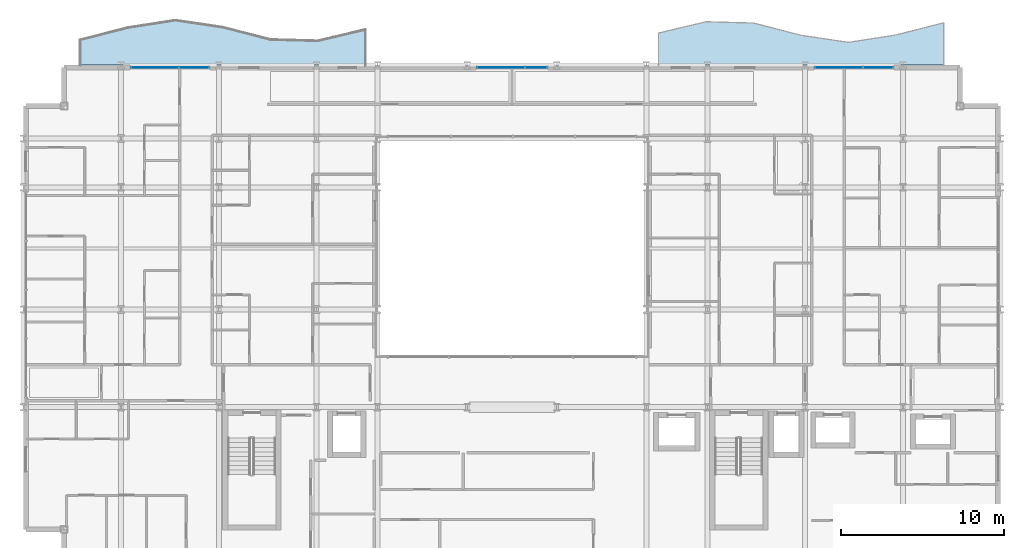
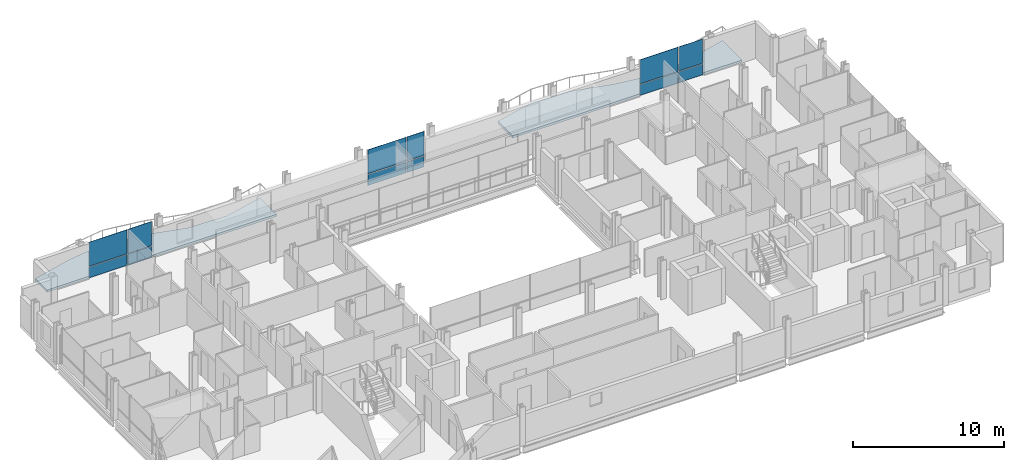
# One storey, part 29 of 41: 12 plates, 2 slabs, 3 elements without a shape of their own.
"""IFC4 building model written with IfcOpenShell, lengths in metres."""

from ifc_helpers import new_model, si_unit, direction, frame, origin, origin_2d, place, context, subcontext, project, spatial, polyline, rectangle, outline, extrude, material, layer, layer_set, type_object, element, aggregate, save


model = new_model("IFC4")

# Units and contexts
model_context = context("Model", 3, precision=1e-05, world=origin(), true_north=direction((0.0, 1.0)))
body_context = subcontext(model_context, "Body", "Model", "MODEL_VIEW")
ifc_project = project(units=[si_unit("LENGTHUNIT", "METRE"), si_unit("AREAUNIT", "SQUARE_METRE"), si_unit("VOLUMEUNIT", "CUBIC_METRE"), si_unit("PLANEANGLEUNIT", "RADIAN"), si_unit("MASSUNIT", "GRAM", prefix="KILO")], contexts=[model_context])

# Site, building, storey
site_placement = place(None, origin())
site = spatial("IfcSite", under=ifc_project, at=site_placement, CompositionType="ELEMENT")
building_placement = place(site_placement, origin())
building = spatial("IfcBuilding", under=site, at=building_placement, Name="Brevholm Reach", CompositionType="ELEMENT")
storey_placement = place(building_placement, frame((0.0, 0.0, 43.5)))
storey = spatial("IfcBuildingStorey", under=building, at=storey_placement, Name="L11", CompositionType="ELEMENT", Elevation=43.5)

# Curtain wall, plates
ifc_material_1 = material(Name="Dark Anodised Aluminium 6063-T6 and Solar-Control Glass", Category="aluminium")
ifc_layer_1 = layer(ifc_material_1, 0.14990234375)
ifc_layer_set_1 = layer_set([ifc_layer_1], Name="Dark Anodised Aluminium 6063-T6 and Solar-Control Glass")
curtain_wall_type = type_object("IfcCurtainWallType", Name="CW-01", PredefinedType="NOTDEFINED", material=ifc_layer_set_1)
curtain_wall_1_placement = place(storey_placement, origin())
curtain_wall_1 = element("IfcCurtainWall", 1, at=curtain_wall_1_placement, inside=storey, type_object=curtain_wall_type, Name="L11 Curtain Wall CW-01", PredefinedType="NOTDEFINED")
ifc_material_2 = material(Name="Dark Solar-Control Double-Glazed IGU Glass", Category="glass")
ifc_layer_2 = layer(ifc_material_2, 0.028076171875)
ifc_layer_set_2 = layer_set([ifc_layer_2], Name="Dark Solar-Control Double-Glazed IGU Glass")
plate_type = type_object("IfcPlateType", Name="CWP-GLZ-28", PredefinedType="CURTAIN_PANEL", material=ifc_layer_set_2)
plate_1_placement = place(storey_placement, frame((8.066162109375, 30.85009765625, 0.0), z_axis=(0.0, 0.0, 1.0), x_axis=(1.0, 0.0, 0.0)))
plate_1 = element("IfcPlate", 2, at=plate_1_placement, type_object=plate_type, Name="CP-01 Glazing Panel 1.1", PredefinedType="CURTAIN_PANEL", context=body_context, shape_type="SweptSolid", body=[
    extrude(rectangle(XDim=2.902587890625, YDim=0.028076171875, at=origin_2d()), origin(), (0.0, 0.0, 1.0), 0.867431640625),
])
plate_2_placement = place(storey_placement, frame((8.066162109375, 30.85009765625, 0.9326171875), z_axis=(0.0, 0.0, 1.0), x_axis=(1.0, 0.0, 0.0)))
plate_2 = element("IfcPlate", 3, at=plate_2_placement, type_object=plate_type, Name="CP-01 Glazing Panel 1.2", PredefinedType="CURTAIN_PANEL", context=body_context, shape_type="SweptSolid", body=[
    extrude(rectangle(XDim=2.902587890625, YDim=0.028076171875, at=origin_2d()), origin(), (0.0, 0.0, 1.0), 1.9375),
])
plate_3_placement = place(storey_placement, frame((10.483642578125, 30.85009765625, 0.0), z_axis=(0.0, 0.0, 1.0), x_axis=(1.0, 0.0, 0.0)))
plate_3 = element("IfcPlate", 4, at=plate_3_placement, type_object=plate_type, Name="CP-01 Glazing Panel 2.1", PredefinedType="CURTAIN_PANEL", context=body_context, shape_type="SweptSolid", body=[
    extrude(rectangle(XDim=1.802490234375, YDim=0.028076171875, at=origin_2d()), origin(), (0.0, 0.0, 1.0), 0.867431640625),
])
plate_4_placement = place(storey_placement, frame((10.483642578125, 30.85009765625, 0.9326171875), z_axis=(0.0, 0.0, 1.0), x_axis=(1.0, 0.0, 0.0)))
plate_4 = element("IfcPlate", 5, at=plate_4_placement, type_object=plate_type, Name="CP-01 Glazing Panel 2.2", PredefinedType="CURTAIN_PANEL", context=body_context, shape_type="SweptSolid", body=[
    extrude(rectangle(XDim=1.802490234375, YDim=0.028076171875, at=origin_2d()), origin(), (0.0, 0.0, 1.0), 1.9375),
])
aggregate(curtain_wall_1, [plate_1, plate_2, plate_3, plate_4])

curtain_wall_2_placement = place(storey_placement, origin())
curtain_wall_2 = element("IfcCurtainWall", 6, at=curtain_wall_2_placement, inside=storey, type_object=curtain_wall_type, Name="L11 Curtain Wall CW-01", PredefinedType="NOTDEFINED")
plate_5_placement = place(storey_placement, frame((29.316162109375, 30.85009765625, 0.0), z_axis=(0.0, 0.0, 1.0), x_axis=(1.0, 0.0, 0.0)))
plate_5 = element("IfcPlate", 7, at=plate_5_placement, type_object=plate_type, Name="CP-01 Glazing Panel 1.1", PredefinedType="CURTAIN_PANEL", context=body_context, shape_type="SweptSolid", body=[
    extrude(rectangle(XDim=2.902587890625, YDim=0.028076171875, at=origin_2d()), origin(), (0.0, 0.0, 1.0), 0.867431640625),
])
plate_6_placement = place(storey_placement, frame((29.316162109375, 30.85009765625, 0.9326171875), z_axis=(0.0, 0.0, 1.0), x_axis=(1.0, 0.0, 0.0)))
plate_6 = element("IfcPlate", 8, at=plate_6_placement, type_object=plate_type, Name="CP-01 Glazing Panel 1.2", PredefinedType="CURTAIN_PANEL", context=body_context, shape_type="SweptSolid", body=[
    extrude(rectangle(XDim=2.902587890625, YDim=0.028076171875, at=origin_2d()), origin(), (0.0, 0.0, 1.0), 1.9375),
])
plate_7_placement = place(storey_placement, frame((31.483642578125, 30.85009765625, 0.0), z_axis=(0.0, 0.0, 1.0), x_axis=(1.0, 0.0, 0.0)))
plate_7 = element("IfcPlate", 9, at=plate_7_placement, type_object=plate_type, Name="CP-01 Glazing Panel 2.1", PredefinedType="CURTAIN_PANEL", context=body_context, shape_type="SweptSolid", body=[
    extrude(rectangle(XDim=1.302490234375, YDim=0.028076171875, at=origin_2d()), origin(), (0.0, 0.0, 1.0), 0.867431640625),
])
plate_8_placement = place(storey_placement, frame((31.483642578125, 30.85009765625, 0.9326171875), z_axis=(0.0, 0.0, 1.0), x_axis=(1.0, 0.0, 0.0)))
plate_8 = element("IfcPlate", 10, at=plate_8_placement, type_object=plate_type, Name="CP-01 Glazing Panel 2.2", PredefinedType="CURTAIN_PANEL", context=body_context, shape_type="SweptSolid", body=[
    extrude(rectangle(XDim=1.302490234375, YDim=0.028076171875, at=origin_2d()), origin(), (0.0, 0.0, 1.0), 1.9375),
])
aggregate(curtain_wall_2, [plate_5, plate_6, plate_7, plate_8])

curtain_wall_3_placement = place(storey_placement, origin())
curtain_wall_3 = element("IfcCurtainWall", 11, at=curtain_wall_3_placement, inside=storey, type_object=curtain_wall_type, Name="L11 Curtain Wall CW-01", PredefinedType="NOTDEFINED")
plate_9_placement = place(storey_placement, frame((50.066162109375, 30.85009765625, 0.0), z_axis=(0.0, 0.0, 1.0), x_axis=(1.0, 0.0, 0.0)))
plate_9 = element("IfcPlate", 12, at=plate_9_placement, type_object=plate_type, Name="CP-01 Glazing Panel 1.1", PredefinedType="CURTAIN_PANEL", context=body_context, shape_type="SweptSolid", body=[
    extrude(rectangle(XDim=2.902587890625, YDim=0.028076171875, at=origin_2d()), origin(), (0.0, 0.0, 1.0), 0.867431640625),
])
plate_10_placement = place(storey_placement, frame((50.066162109375, 30.85009765625, 0.9326171875), z_axis=(0.0, 0.0, 1.0), x_axis=(1.0, 0.0, 0.0)))
plate_10 = element("IfcPlate", 13, at=plate_10_placement, type_object=plate_type, Name="CP-01 Glazing Panel 1.2", PredefinedType="CURTAIN_PANEL", context=body_context, shape_type="SweptSolid", body=[
    extrude(rectangle(XDim=2.902587890625, YDim=0.028076171875, at=origin_2d()), origin(), (0.0, 0.0, 1.0), 1.9375),
])
plate_11_placement = place(storey_placement, frame((52.483642578125, 30.85009765625, 0.0), z_axis=(0.0, 0.0, 1.0), x_axis=(1.0, 0.0, 0.0)))
plate_11 = element("IfcPlate", 14, at=plate_11_placement, type_object=plate_type, Name="CP-01 Glazing Panel 2.1", PredefinedType="CURTAIN_PANEL", context=body_context, shape_type="SweptSolid", body=[
    extrude(rectangle(XDim=1.802490234375, YDim=0.028076171875, at=origin_2d()), origin(), (0.0, 0.0, 1.0), 0.867431640625),
])
plate_12_placement = place(storey_placement, frame((52.483642578125, 30.85009765625, 0.9326171875), z_axis=(0.0, 0.0, 1.0), x_axis=(1.0, 0.0, 0.0)))
plate_12 = element("IfcPlate", 15, at=plate_12_placement, type_object=plate_type, Name="CP-01 Glazing Panel 2.2", PredefinedType="CURTAIN_PANEL", context=body_context, shape_type="SweptSolid", body=[
    extrude(rectangle(XDim=1.802490234375, YDim=0.028076171875, at=origin_2d()), origin(), (0.0, 0.0, 1.0), 1.9375),
])
aggregate(curtain_wall_3, [plate_9, plate_10, plate_11, plate_12])

# Slabs
ifc_material_3 = material(Name="Precast Concrete C40/50", Category="concrete")
ifc_layer_3 = layer(ifc_material_3, 0.179931640625)
ifc_layer_set_3 = layer_set([ifc_layer_3], Name="Precast Concrete C40/50")
slab_type = type_object("IfcSlabType", Name="SLB-BAL-180", PredefinedType="FLOOR", material=ifc_layer_set_3)
slab_1_placement = place(storey_placement, frame((0.0, 0.0, -0.179931640625)))
element("IfcSlab", 16, at=slab_1_placement, inside=storey, type_object=slab_type, Name="L11 Rippling External Balcony NE", PredefinedType="FLOOR", context=body_context, shape_type="SweptSolid", body=[
    extrude(outline(polyline([(39.0, 31.0), (56.5, 31.0), (56.5, 33.599609375), (53.583251953125, 32.855224609375), (50.666748046875, 32.400146484375), (47.75, 32.8330078125), (44.833251953125, 33.58447265625), (41.916748046875, 33.665283203125), (39.0, 32.969482421875), (39.0, 31.0)])), origin(), (0.0, 0.0, 1.0), 0.179931640625),
])
slab_2_placement = place(storey_placement, frame((0.0, 0.0, -0.179931640625)))
element("IfcSlab", 17, at=slab_2_placement, inside=storey, type_object=slab_type, Name="L11 Rippling External Balcony NW", PredefinedType="FLOOR", context=body_context, shape_type="SweptSolid", body=[
    extrude(outline(polyline([(3.5, 31.0), (21.0, 31.0), (21.0, 33.1806640625), (18.083251953125, 32.484619140625), (15.166748046875, 32.565673828125), (12.25, 33.31689453125), (9.333251953125, 33.75), (6.416748046875, 33.294921875), (3.5, 32.55029296875), (3.5, 31.0)])), origin(), (0.0, 0.0, 1.0), 0.179931640625),
])

save(model, "model.ifc")
